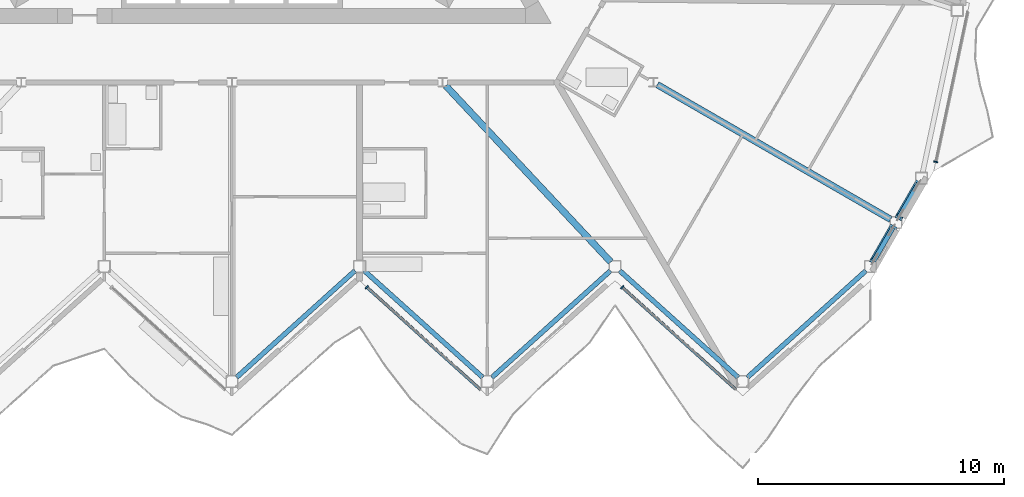
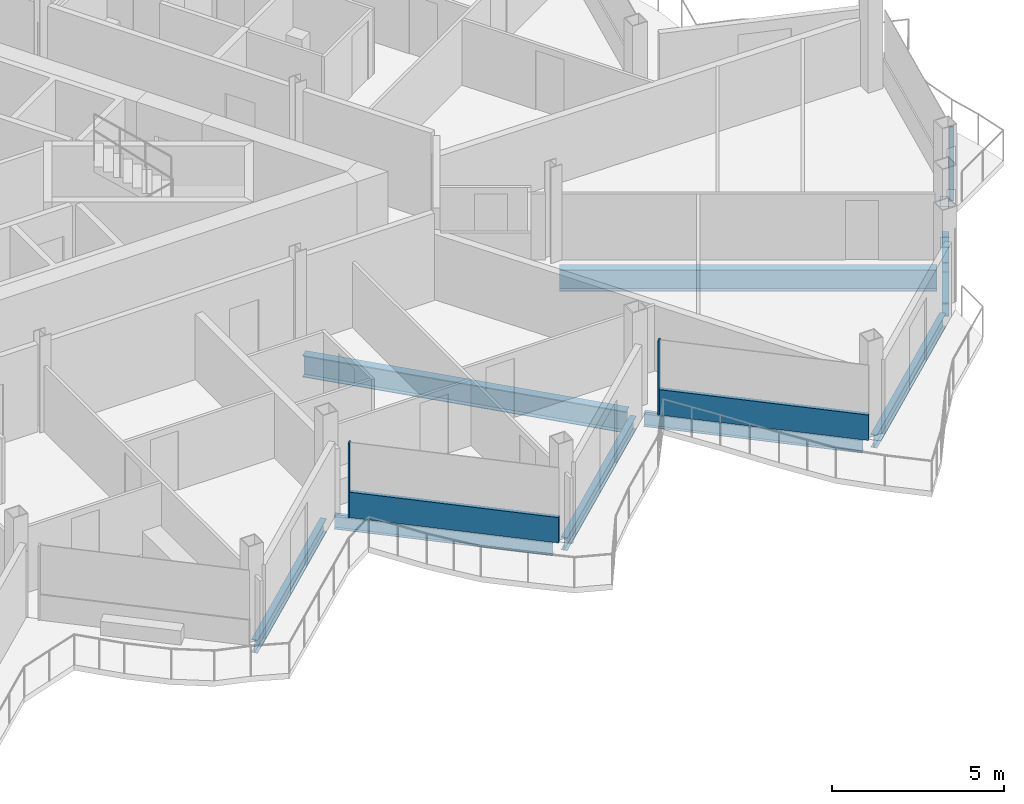
# One storey, part 7 of 26: 9 beams, 7 members, 3 elements without a shape of their own.
"""IFC4 building model written with IfcOpenShell, lengths in metres."""

from ifc_helpers import new_model, si_unit, direction, frame, origin, origin_2d, place, context, subcontext, project, spatial, rectangle, hollow_rectangle, i_section, extrude, material, layer, layer_set, material_profile, profile_set, type_object, element, aggregate, save


model = new_model("IFC4")

# Units and contexts
model_context = context("Model", 3, precision=1e-05, world=origin(), true_north=direction((0.0, 1.0)))
body_context = subcontext(model_context, "Body", "Model", "MODEL_VIEW")
ifc_project = project(units=[si_unit("LENGTHUNIT", "METRE"), si_unit("AREAUNIT", "SQUARE_METRE"), si_unit("VOLUMEUNIT", "CUBIC_METRE"), si_unit("PLANEANGLEUNIT", "RADIAN"), si_unit("MASSUNIT", "GRAM", prefix="KILO")], contexts=[model_context])

# Site, building, storey
site_placement = place(None, origin())
site = spatial("IfcSite", under=ifc_project, at=site_placement, CompositionType="ELEMENT")
building_placement = place(site_placement, origin())
building = spatial("IfcBuilding", under=site, at=building_placement, Name="Cormorant Prow Tower", CompositionType="ELEMENT")
storey_placement = place(building_placement, frame((0.0, 0.0, 378.0)))
storey = spatial("IfcBuildingStorey", under=building, at=storey_placement, Name="L85", CompositionType="ELEMENT", Elevation=378.0)

# Members
ifc_material_1 = material(Name="Structural steel ASTM A500 Gr C", Category="steel")
ifc_material_profile_1 = material_profile(ifc_material_1, hollow_rectangle(XDim=0.3046875, YDim=0.3046875, WallThickness=0.01171875, at=origin_2d()), Name="HSS12x12x1/2")
ifc_profile_set_1 = profile_set([ifc_material_profile_1], Name="Structural steel ASTM A500 Gr C")
member_type_1 = type_object("IfcMemberType", Name="Chamfer brace HSS12x12x1/2", PredefinedType="BRACE", material=ifc_profile_set_1)
member_1_placement = place(storey_placement, frame((26.91357421875, -15.823486328125, 0.7705078125), z_axis=(-0.411298537745, -0.71230756954, 0.568727913175), x_axis=(0.866000359435, -0.500043375578, 0.0)))
element("IfcMember", 1, at=member_1_placement, inside=storey, type_object=member_type_1, Name="Chamfer brace BR3 at ESE00 L85", PredefinedType="BRACE", context=body_context, shape_type="SweptSolid", body=[
    extrude(hollow_rectangle(XDim=0.3046875, YDim=0.3046875, WallThickness=0.01171875, at=origin_2d()), origin(), (0.0, 0.0, 1.0), 1.92138671875),
])
member_2_placement = place(storey_placement, frame((27.950439453125, -14.027587890625, 0.7705078125), z_axis=(-0.411230183851, -0.712282194217, 0.568809117095), x_axis=(0.866028632512, -0.499994407638, 0.0)))
element("IfcMember", 2, at=member_2_placement, inside=storey, type_object=member_type_1, Name="Chamfer brace BR3 at ESE01 L85", PredefinedType="BRACE", context=body_context, shape_type="SweptSolid", body=[
    extrude(hollow_rectangle(XDim=0.3046875, YDim=0.3046875, WallThickness=0.01171875, at=origin_2d()), origin(), (0.0, 0.0, 1.0), 1.921142578125),
])

# Beams
ifc_material_2 = material(Name="Structural steel ASTM A992 Gr 50", Category="steel")
ifc_material_profile_2 = material_profile(ifc_material_2, i_section(OverallWidth=0.267822265625, OverallDepth=0.77001953125, WebThickness=0.015625, FlangeThickness=0.025390625, at=origin_2d()), Name="W30x132")
ifc_profile_set_2 = profile_set([ifc_material_profile_2], Name="Structural steel ASTM A992 Gr 50")
beam_type_1 = type_object("IfcBeamType", Name="Radial floor beam W30x132", PredefinedType="BEAM", material=ifc_profile_set_2)
beam_1_placement = place(storey_placement, frame((8.706298828125, -10.0419921875, -0.68505859375), z_axis=(0.683430760659, -0.730015339144, 0.0), x_axis=(0.730015339144, 0.683430760659, 0.0)))
element("IfcBeam", 3, at=beam_1_placement, inside=storey, type_object=beam_type_1, Name="Radial floor beam FB3 8 L85", PredefinedType="BEAM", context=body_context, shape_type="SweptSolid", body=[
    extrude(i_section(OverallWidth=0.267822265625, OverallDepth=0.77001953125, WebThickness=0.015625, FlangeThickness=0.025390625, at=origin_2d()), origin(), (0.0, 0.0, 1.0), 9.8369140625),
])
beam_2_placement = place(storey_placement, frame((17.31884765625, -9.9990234375, -0.68505859375), z_axis=(0.866018830095, -0.500011385791, 0.0), x_axis=(0.500011385791, 0.866018830095, 0.0)))
element("IfcBeam", 4, at=beam_2_placement, inside=storey, type_object=beam_type_1, Name="Radial floor beam FB3 9 L85", PredefinedType="BEAM", context=body_context, shape_type="SweptSolid", body=[
    extrude(i_section(OverallWidth=0.267822265625, OverallDepth=0.77001953125, WebThickness=0.015625, FlangeThickness=0.025390625, at=origin_2d()), origin(), (0.0, 0.0, 1.0), 10.971435546875),
])

# Curtain wall, member
ifc_material_3 = material(Name="Aluminium 6063-T6", Category="aluminium")
ifc_layer = layer(ifc_material_3, 0.159912109375)
ifc_layer_set = layer_set([ifc_layer], Name="Aluminium 6063-T6")
curtain_wall_type = type_object("IfcCurtainWallType", Name="Residential unitised curtain wall 160", PredefinedType="NOTDEFINED", material=ifc_layer_set)
curtain_wall_1_placement = place(storey_placement, origin())
curtain_wall_1 = element("IfcCurtainWall", 5, at=curtain_wall_1_placement, inside=storey, type_object=curtain_wall_type, Name="Residential curtain wall S06", PredefinedType="NOTDEFINED")
ifc_material_4 = material(Name="Aluminium 6063-T6", Category="aluminium")
ifc_material_profile_3 = material_profile(ifc_material_4, rectangle(XDim=0.159912109375, YDim=0.050048828125, at=origin_2d()), Name="Residential mullion 50x160")
ifc_profile_set_3 = profile_set([ifc_material_profile_3], Name="Aluminium 6063-T6")
member_type_2 = type_object("IfcMemberType", Name="Residential mullion 50x160", PredefinedType="MULLION", material=ifc_profile_set_3)
member_3_placement = place(storey_placement, frame((5.490478515625, -18.2451171875, 0.0), z_axis=(0.0, 0.0, 1.0), x_axis=(0.669130603959, 0.743144827638, 0.0)))
member_3 = element("IfcMember", 6, at=member_3_placement, type_object=member_type_2, Name="Residential mullion S06", PredefinedType="MULLION", context=body_context, shape_type="SweptSolid", body=[
    extrude(rectangle(XDim=0.159912109375, YDim=0.050048828125, at=origin_2d()), origin(), (0.0, 0.0, 1.0), 2.6337890625),
])

curtain_wall_2_placement = place(storey_placement, origin())
curtain_wall_2 = element("IfcCurtainWall", 7, at=curtain_wall_2_placement, inside=storey, type_object=curtain_wall_type, Name="Residential curtain wall S08", PredefinedType="NOTDEFINED")
member_4_placement = place(storey_placement, frame((15.890625, -18.2451171875, 0.0), z_axis=(0.0, 0.0, 1.0), x_axis=(0.669130603959, 0.743144827638, 0.0)))
member_4 = element("IfcMember", 8, at=member_4_placement, type_object=member_type_2, Name="Residential mullion S08", PredefinedType="MULLION", context=body_context, shape_type="SweptSolid", body=[
    extrude(rectangle(XDim=0.159912109375, YDim=0.050048828125, at=origin_2d()), origin(), (0.0, 0.0, 1.0), 2.6337890625),
])

curtain_wall_3_placement = place(storey_placement, origin())
curtain_wall_3 = element("IfcCurtainWall", 9, at=curtain_wall_3_placement, inside=storey, type_object=curtain_wall_type, Name="Residential curtain wall ENE00", PredefinedType="NOTDEFINED")
member_5_placement = place(storey_placement, frame((28.655517578125, -13.142333984375, 0.0), z_axis=(0.0, 0.0, 1.0), x_axis=(-0.978147615768, 0.207911620089, 0.0)))
member_5 = element("IfcMember", 10, at=member_5_placement, type_object=member_type_2, Name="Residential mullion ENE00", PredefinedType="MULLION", context=body_context, shape_type="SweptSolid", body=[
    extrude(rectangle(XDim=0.159912109375, YDim=0.050048828125, at=origin_2d()), origin(), (0.0, 0.0, 1.0), 2.6337890625),
])
aggregate(curtain_wall_3, [member_5])

# Member
ifc_material_5 = material(Name="Terracotta", Category="masonry")
ifc_material_profile_4 = material_profile(ifc_material_5, rectangle(XDim=0.1201171875, YDim=0.89990234375, at=origin_2d()), Name="Residential terracotta spandrel rail 120x900")
ifc_profile_set_4 = profile_set([ifc_material_profile_4], Name="Terracotta")
member_type_3 = type_object("IfcMemberType", Name="Residential terracotta spandrel rail 120x900", PredefinedType="USERDEFINED", material=ifc_profile_set_4)
member_6_placement = place(storey_placement, frame((5.509033203125, -18.261962890625, 0.449951171875), z_axis=(0.743159360055, -0.669114463723, 0.0), x_axis=(0.669114463723, 0.743159360055, 0.0)))
member_6 = element("IfcMember", 11, at=member_6_placement, type_object=member_type_3, Name="Residential spandrel rail S06", ObjectType="TRANSOM", PredefinedType="USERDEFINED", context=body_context, shape_type="SweptSolid", body=[
    extrude(rectangle(XDim=0.1201171875, YDim=0.89990234375, at=origin_2d()), origin(), (0.0, 0.0, 1.0), 6.21533203125),
])

aggregate(curtain_wall_1, [member_3, member_6])

member_7_placement = place(storey_placement, frame((15.9091796875, -18.261962890625, 0.449951171875), z_axis=(0.743159360055, -0.669114463723, 0.0), x_axis=(0.669114463723, 0.743159360055, 0.0)))
member_7 = element("IfcMember", 12, at=member_7_placement, type_object=member_type_3, Name="Residential spandrel rail S08", ObjectType="TRANSOM", PredefinedType="USERDEFINED", context=body_context, shape_type="SweptSolid", body=[
    extrude(rectangle(XDim=0.1201171875, YDim=0.89990234375, at=origin_2d()), origin(), (0.0, 0.0, 1.0), 6.21533203125),
])

aggregate(curtain_wall_2, [member_4, member_7])

# Beams
ifc_material_6 = material(Name="Structural steel ASTM A992 Gr 50", Category="steel")
ifc_material_profile_5 = material_profile(ifc_material_6, i_section(OverallWidth=0.19287109375, OverallDepth=0.466064453125, WebThickness=0.011474609375, FlangeThickness=0.01904296875, at=origin_2d()), Name="W18x65")
ifc_profile_set_5 = profile_set([ifc_material_profile_5], Name="Structural steel ASTM A992 Gr 50")
beam_type_2 = type_object("IfcBeamType", Name="Spandrel beam W18x65", PredefinedType="SPANDREL", material=ifc_profile_set_5)
for number, where, z_axis, x_axis, name in (
    (13, (0.185791015625, -21.920654296875, -0.532958984375), (0.743131573737, 0.669145323614, 0.0), (-0.669145323614, 0.743131573737, 0.0), "Spandrel beam SB4 S05-S06 L85"),
    (14, (5.3857421875, -17.572998046875, -0.532958984375), (0.743131573737, -0.669145323614, 0.0), (0.669145323614, 0.743131573737, 0.0), "Spandrel beam SB4 S06-S07 L85"),
):
    element("IfcBeam", number, at=place(storey_placement, frame(where, z_axis=z_axis, x_axis=x_axis)), inside=storey, type_object=beam_type_2, Name=name, PredefinedType="SPANDREL", context=body_context, shape_type="SweptSolid", body=[
        extrude(i_section(OverallWidth=0.19287109375, OverallDepth=0.466064453125, WebThickness=0.011474609375, FlangeThickness=0.01904296875, at=origin_2d()), origin(), (0.0, 0.0, 1.0), 6.497314453125),
    ])
beam_3_placement = place(storey_placement, frame((10.585693359375, -21.920654296875, -0.532958984375), z_axis=(0.743148397689, 0.669126638995, 0.0), x_axis=(-0.669126638995, 0.743148397689, 0.0)))
element("IfcBeam", 15, at=beam_3_placement, inside=storey, type_object=beam_type_2, Name="Spandrel beam SB4 S07-S08 L85", PredefinedType="SPANDREL", context=body_context, shape_type="SweptSolid", body=[
    extrude(i_section(OverallWidth=0.19287109375, OverallDepth=0.466064453125, WebThickness=0.011474609375, FlangeThickness=0.01904296875, at=origin_2d()), origin(), (0.0, 0.0, 1.0), 6.49755859375),
])
for number, where, z_axis, x_axis, name in (
    (16, (15.785888671875, -17.572998046875, -0.532958984375), (0.743131573737, -0.669145323614, 0.0), (0.669145323614, 0.743131573737, 0.0), "Spandrel beam SB4 S08-S09 L85"),
    (17, (20.98583984375, -21.920654296875, -0.532958984375), (0.743131573737, 0.669145323614, 0.0), (-0.669145323614, 0.743131573737, 0.0), "Spandrel beam SB4 S09-ESE00 L85"),
):
    element("IfcBeam", number, at=place(storey_placement, frame(where, z_axis=z_axis, x_axis=x_axis)), inside=storey, type_object=beam_type_2, Name=name, PredefinedType="SPANDREL", context=body_context, shape_type="SweptSolid", body=[
        extrude(i_section(OverallWidth=0.19287109375, OverallDepth=0.466064453125, WebThickness=0.011474609375, FlangeThickness=0.01904296875, at=origin_2d()), origin(), (0.0, 0.0, 1.0), 6.497314453125),
    ])
for number, where, z_axis, x_axis, name in (
    (18, (26.125, -17.189208984375, -0.532958984375), (0.499959680857, 0.866048680801, 0.0), (-0.866048680801, 0.499959680857, 0.0), "Spandrel beam SB4 ESE00-ESE01 L85"),
    (19, (27.161865234375, -15.393310546875, -0.532958984375), (0.499959680857, 0.866048680801, 0.0), (-0.866048680801, 0.499959680857, 0.0), "Spandrel beam SB4 ESE01-ENE00 L85"),
):
    element("IfcBeam", number, at=place(storey_placement, frame(where, z_axis=z_axis, x_axis=x_axis)), inside=storey, type_object=beam_type_2, Name=name, PredefinedType="SPANDREL", context=body_context, shape_type="SweptSolid", body=[
        extrude(i_section(OverallWidth=0.19287109375, OverallDepth=0.466064453125, WebThickness=0.011474609375, FlangeThickness=0.01904296875, at=origin_2d()), origin(), (0.0, 0.0, 1.0), 1.573974609375),
    ])

save(model, "model.ifc")
